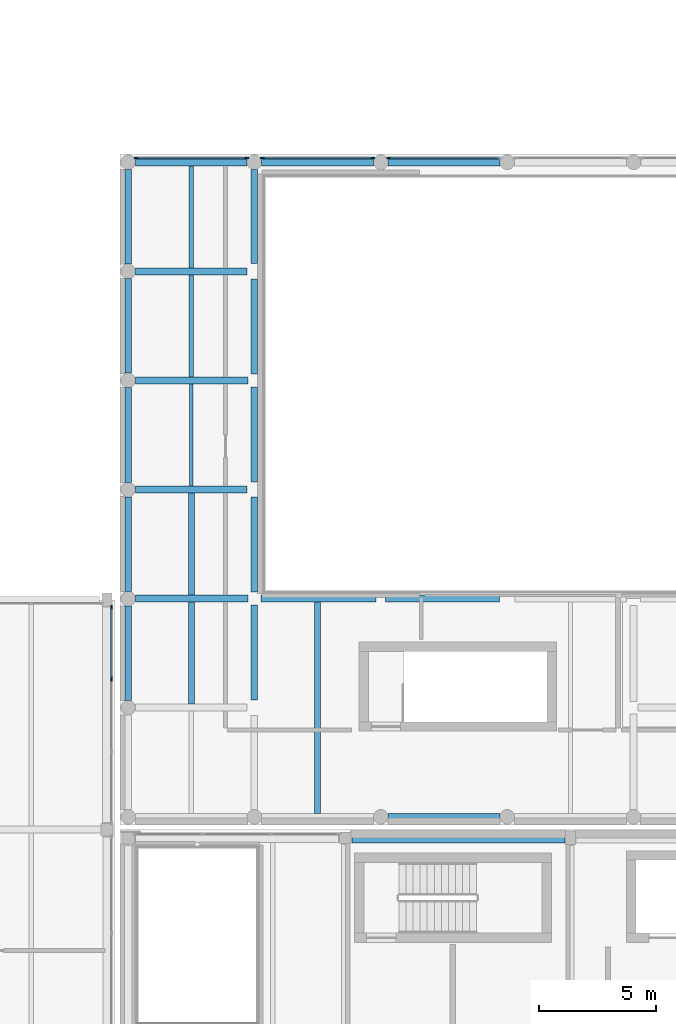
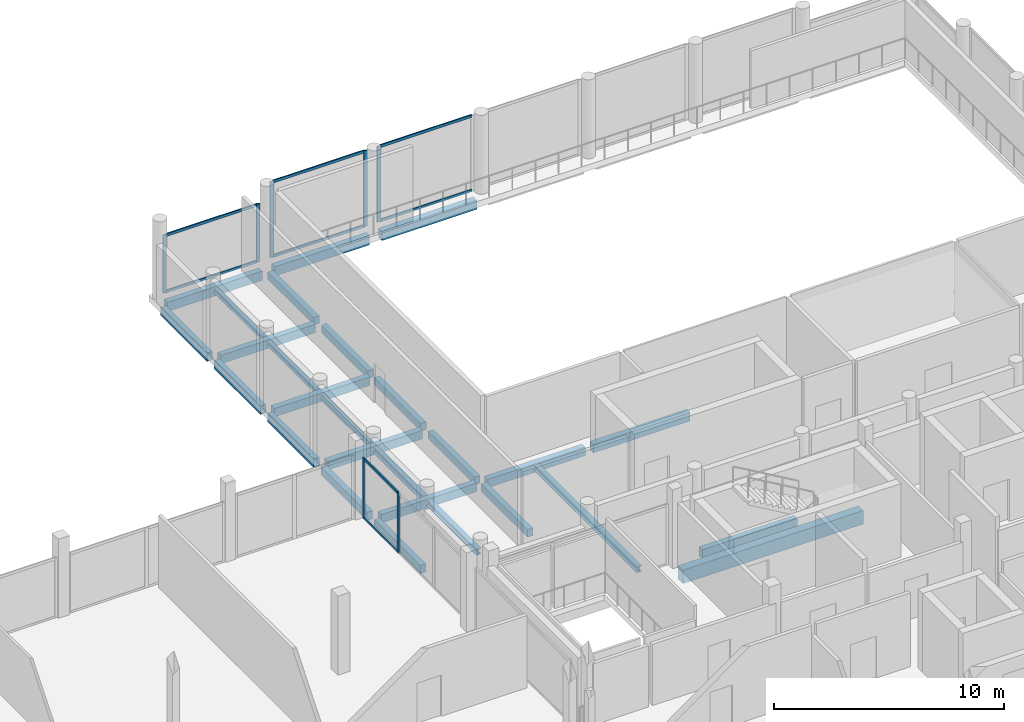
# One storey, part 11 of 66: 27 beams, 15 members, 4 elements without a shape of their own.
"""IFC4 building model written with IfcOpenShell, lengths in metres."""

from ifc_helpers import new_model, si_unit, direction, frame, origin, origin_2d, place, context, subcontext, project, spatial, rectangle, i_section, extrude, material, layer, layer_set, material_profile, profile_set, type_object, element, aggregate, save


model = new_model("IFC4")

# Units and contexts
model_context = context("Model", 3, precision=1e-05, world=origin(), true_north=direction((0.0, 1.0)))
body_context = subcontext(model_context, "Body", "Model", "MODEL_VIEW")
ifc_project = project(units=[si_unit("LENGTHUNIT", "METRE"), si_unit("AREAUNIT", "SQUARE_METRE"), si_unit("VOLUMEUNIT", "CUBIC_METRE"), si_unit("PLANEANGLEUNIT", "RADIAN"), si_unit("MASSUNIT", "GRAM", prefix="KILO")], contexts=[model_context])

# Site, building, storey
site_placement = place(None, origin())
site = spatial("IfcSite", under=ifc_project, at=site_placement, CompositionType="ELEMENT")
building_placement = place(site_placement, origin())
building = spatial("IfcBuilding", under=site, at=building_placement, Name="Birchvale Park Specialist Clinic", CompositionType="ELEMENT")
storey_placement = place(building_placement, frame((0.0, 0.0, 5.39990234375)))
storey = spatial("IfcBuildingStorey", under=building, at=storey_placement, Name="L01", CompositionType="ELEMENT", Elevation=5.39990234375)

# Beams
ifc_material_1 = material(Name="Concrete C40/50", Category="concrete")
ifc_material_profile_1 = material_profile(ifc_material_1, rectangle(XDim=0.419921875, YDim=0.719970703125, at=origin_2d()), Name="RCB-420x720")
ifc_profile_set_1 = profile_set([ifc_material_profile_1], Name="Concrete C40/50")
beam_type_1 = type_object("IfcBeamType", Name="BM-EXT-BG3", PredefinedType="BEAM", material=ifc_profile_set_1)
beam_1_placement = place(storey_placement, frame((61.68994140625, 34.25, -0.639892578125), z_axis=(1.0, 0.0, 0.0), x_axis=(0.0, 1.0, 0.0)))
element("IfcBeam", 1, at=beam_1_placement, inside=storey, type_object=beam_type_1, Name="V4 L01 X girder 15", PredefinedType="BEAM", context=body_context, shape_type="SweptSolid", body=[
    extrude(rectangle(XDim=0.419921875, YDim=0.719970703125, at=origin_2d()), origin(), (0.0, 0.0, 1.0), 9.074951171875),
])
ifc_material_profile_2 = material_profile(ifc_material_1, rectangle(XDim=0.300048828125, YDim=0.489990234375, at=origin_2d()), Name="RCB-300x490")
ifc_profile_set_2 = profile_set([ifc_material_profile_2], Name="Concrete C40/50")
beam_type_2 = type_object("IfcBeamType", Name="BM-EXT-BG8", PredefinedType="BEAM", material=ifc_profile_set_2)
for number, where, z_axis, x_axis, name in (
    (2, (63.2314453125, 35.14990234375, -0.56494140625), (1.0, 0.0, 0.0), (0.0, 1.0, 0.0), "V1 L01 X girder 3"),
    (3, (52.4599609375, 63.050048828125, -0.56494140625), (1.0, 0.0, 0.0), (0.0, 1.0, 0.0), "V1 L01 X girder 22"),
    (4, (57.845703125, 63.050048828125, -0.56494140625), (1.0, 0.0, 0.0), (0.0, 1.0, 0.0), "V1 L01 X girder 23"),
    (5, (63.2314453125, 63.050048828125, -0.56494140625), (1.0, 0.0, 0.0), (0.0, 1.0, 0.0), "V1 L01 X girder 24"),
):
    element("IfcBeam", number, at=place(storey_placement, frame(where, z_axis=z_axis, x_axis=x_axis)), inside=storey, type_object=beam_type_2, Name=name, PredefinedType="BEAM", context=body_context, shape_type="SweptSolid", body=[
        extrude(rectangle(XDim=0.300048828125, YDim=0.489990234375, at=origin_2d()), origin(), (0.0, 0.0, 1.0), 4.765625),
    ])
ifc_material_profile_3 = material_profile(ifc_material_1, rectangle(XDim=0.280029296875, YDim=0.43994140625, at=origin_2d()), Name="RCB-280x440")
ifc_profile_set_3 = profile_set([ifc_material_profile_3], Name="Concrete C40/50")
beam_type_3 = type_object("IfcBeamType", Name="BM-EXT-BG9", PredefinedType="BEAM", material=ifc_profile_set_3)
beam_2_placement = place(storey_placement, frame((52.14990234375, 40.110107421875, -0.539794921875), z_axis=(0.0, 1.0, 0.0), x_axis=(-1.0, 0.0, 0.0)))
element("IfcBeam", 6, at=beam_2_placement, inside=storey, type_object=beam_type_3, Name="V1 L01 Y girder 30", PredefinedType="BEAM", context=body_context, shape_type="SweptSolid", body=[
    extrude(rectangle(XDim=0.280029296875, YDim=0.43994140625, at=origin_2d()), origin(), (0.0, 0.0, 1.0), 4.02978515625),
])
for number, where, z_axis, x_axis, name in (
    (7, (52.14990234375, 44.760009765625, -0.539794921875), (0.0, 1.0, 0.0), (-1.0, 0.0, 0.0), "V1 L01 Y girder 31"),
    (8, (52.14990234375, 49.409912109375, -0.539794921875), (0.0, 1.0, 0.0), (-1.0, 0.0, 0.0), "V1 L01 Y girder 32"),
    (9, (52.14990234375, 54.06005859375, -0.539794921875), (0.0, 1.0, 0.0), (-1.0, 0.0, 0.0), "V1 L01 Y girder 33"),
    (10, (52.14990234375, 58.7099609375, -0.539794921875), (0.0, 1.0, 0.0), (-1.0, 0.0, 0.0), "V1 L01 Y girder 34"),
):
    element("IfcBeam", number, at=place(storey_placement, frame(where, z_axis=z_axis, x_axis=x_axis)), inside=storey, type_object=beam_type_3, Name=name, PredefinedType="BEAM", context=body_context, shape_type="SweptSolid", body=[
        extrude(rectangle(XDim=0.280029296875, YDim=0.43994140625, at=origin_2d()), origin(), (0.0, 0.0, 1.0), 4.030029296875),
    ])
ifc_material_profile_4 = material_profile(ifc_material_1, rectangle(XDim=0.300048828125, YDim=0.449951171875, at=origin_2d()), Name="RCB-300x450")
ifc_profile_set_4 = profile_set([ifc_material_profile_4], Name="Concrete C40/50")
beam_type_4 = type_object("IfcBeamType", Name="BM-INT-BG8", PredefinedType="BEAM", material=ifc_profile_set_4)
beam_3_placement = place(storey_placement, frame((52.4599609375, 44.449951171875, -0.544921875), z_axis=(1.0, 0.0, 0.0), x_axis=(0.0, 1.0, 0.0)))
element("IfcBeam", 11, at=beam_3_placement, inside=storey, type_object=beam_type_4, Name="V1 L01 X girder 12", PredefinedType="BEAM", context=body_context, shape_type="SweptSolid", body=[
    extrude(rectangle(XDim=0.300048828125, YDim=0.449951171875, at=origin_2d()), origin(), (0.0, 0.0, 1.0), 4.80078125),
])
beam_4_placement = place(storey_placement, frame((57.810791015625, 44.449951171875, -0.544921875), z_axis=(1.0, 0.0, 0.0), x_axis=(0.0, 1.0, 0.0)))
element("IfcBeam", 12, at=beam_4_placement, inside=storey, type_object=beam_type_4, Name="V1 L01 X girder 13", PredefinedType="BEAM", context=body_context, shape_type="SweptSolid", body=[
    extrude(rectangle(XDim=0.300048828125, YDim=0.449951171875, at=origin_2d()), origin(), (0.0, 0.0, 1.0), 4.91064453125),
])
beam_5_placement = place(storey_placement, frame((63.121337890625, 44.449951171875, -0.544921875), z_axis=(1.0, 0.0, 0.0), x_axis=(0.0, 1.0, 0.0)))
element("IfcBeam", 13, at=beam_5_placement, inside=storey, type_object=beam_type_4, Name="V1 L01 X girder 14", PredefinedType="BEAM", context=body_context, shape_type="SweptSolid", body=[
    extrude(rectangle(XDim=0.300048828125, YDim=0.449951171875, at=origin_2d()), origin(), (0.0, 0.0, 1.0), 4.86083984375),
])
beam_6_placement = place(storey_placement, frame((52.4599609375, 49.10009765625, -0.544921875), z_axis=(1.0, 0.0, 0.0), x_axis=(0.0, 1.0, 0.0)))
element("IfcBeam", 14, at=beam_6_placement, inside=storey, type_object=beam_type_4, Name="V1 L01 X girder 19", PredefinedType="BEAM", context=body_context, shape_type="SweptSolid", body=[
    extrude(rectangle(XDim=0.300048828125, YDim=0.449951171875, at=origin_2d()), origin(), (0.0, 0.0, 1.0), 4.750732421875),
])
beam_7_placement = place(storey_placement, frame((52.4599609375, 53.75, -0.544921875), z_axis=(1.0, 0.0, 0.0), x_axis=(0.0, 1.0, 0.0)))
element("IfcBeam", 15, at=beam_7_placement, inside=storey, type_object=beam_type_4, Name="V1 L01 X girder 20", PredefinedType="BEAM", context=body_context, shape_type="SweptSolid", body=[
    extrude(rectangle(XDim=0.300048828125, YDim=0.449951171875, at=origin_2d()), origin(), (0.0, 0.0, 1.0), 4.80078125),
])
beam_8_placement = place(storey_placement, frame((52.4599609375, 58.39990234375, -0.544921875), z_axis=(1.0, 0.0, 0.0), x_axis=(0.0, 1.0, 0.0)))
element("IfcBeam", 16, at=beam_8_placement, inside=storey, type_object=beam_type_4, Name="V1 L01 X girder 21", PredefinedType="BEAM", context=body_context, shape_type="SweptSolid", body=[
    extrude(rectangle(XDim=0.300048828125, YDim=0.449951171875, at=origin_2d()), origin(), (0.0, 0.0, 1.0), 4.750732421875),
])
ifc_material_profile_5 = material_profile(ifc_material_1, rectangle(XDim=0.280029296875, YDim=0.39990234375, at=origin_2d()), Name="RCB-280x400")
ifc_profile_set_5 = profile_set([ifc_material_profile_5], Name="Concrete C40/50")
beam_type_5 = type_object("IfcBeamType", Name="BM-INT-BG9", PredefinedType="BEAM", material=ifc_profile_set_5)
beam_9_placement = place(storey_placement, frame((57.53564453125, 40.125, -0.52001953125), z_axis=(0.0, 1.0, 0.0), x_axis=(-1.0, 0.0, 0.0)))
element("IfcBeam", 17, at=beam_9_placement, inside=storey, type_object=beam_type_5, Name="V1 L01 Y girder 36", PredefinedType="BEAM", context=body_context, shape_type="SweptSolid", body=[
    extrude(rectangle(XDim=0.280029296875, YDim=0.39990234375, at=origin_2d()), origin(), (0.0, 0.0, 1.0), 4.050048828125),
])
beam_10_placement = place(storey_placement, frame((57.53564453125, 44.72509765625, -0.52001953125), z_axis=(0.0, 1.0, 0.0), x_axis=(-1.0, 0.0, 0.0)))
element("IfcBeam", 18, at=beam_10_placement, inside=storey, type_object=beam_type_5, Name="V1 L01 Y girder 37", PredefinedType="BEAM", context=body_context, shape_type="SweptSolid", body=[
    extrude(rectangle(XDim=0.280029296875, YDim=0.39990234375, at=origin_2d()), origin(), (0.0, 0.0, 1.0), 4.0498046875),
])
for number, where, z_axis, x_axis, name in (
    (19, (57.53564453125, 49.425048828125, -0.52001953125), (0.0, 1.0, 0.0), (-1.0, 0.0, 0.0), "V1 L01 Y girder 38"),
    (20, (57.53564453125, 54.02490234375, -0.52001953125), (0.0, 1.0, 0.0), (-1.0, 0.0, 0.0), "V1 L01 Y girder 39"),
):
    element("IfcBeam", number, at=place(storey_placement, frame(where, z_axis=z_axis, x_axis=x_axis)), inside=storey, type_object=beam_type_5, Name=name, PredefinedType="BEAM", context=body_context, shape_type="SweptSolid", body=[
        extrude(rectangle(XDim=0.280029296875, YDim=0.39990234375, at=origin_2d()), origin(), (0.0, 0.0, 1.0), 4.050048828125),
    ])
beam_11_placement = place(storey_placement, frame((57.53564453125, 58.72509765625, -0.52001953125), z_axis=(0.0, 1.0, 0.0), x_axis=(-1.0, 0.0, 0.0)))
element("IfcBeam", 21, at=beam_11_placement, inside=storey, type_object=beam_type_5, Name="V1 L01 Y girder 40", PredefinedType="BEAM", context=body_context, shape_type="SweptSolid", body=[
    extrude(rectangle(XDim=0.280029296875, YDim=0.39990234375, at=origin_2d()), origin(), (0.0, 0.0, 1.0), 4.014892578125),
])

# Curtain wall, member
ifc_material_2 = material(Name="Thermally broken anodised aluminium", Category="aluminium")
ifc_layer = layer(ifc_material_2, 0.195068359375)
ifc_layer_set = layer_set([ifc_layer], Name="Thermally broken anodised aluminium")
curtain_wall_type = type_object("IfcCurtainWallType", Name="CW-U2", PredefinedType="USERDEFINED", material=ifc_layer_set)
curtain_wall_1_placement = place(storey_placement, origin())
curtain_wall_1 = element("IfcCurtainWall", 22, at=curtain_wall_1_placement, inside=storey, type_object=curtain_wall_type, Name="V1 L01 glazed curtain wall 78", ObjectType="UNITISED", PredefinedType="USERDEFINED")
ifc_material_profile_6 = material_profile(ifc_material_2, rectangle(XDim=0.06494140625, YDim=0.179931640625, at=origin_2d()), Name="CWM-65x180")
ifc_profile_set_6 = profile_set([ifc_material_profile_6], Name="Thermally broken anodised aluminium")
member_type_1 = type_object("IfcMemberType", Name="CWM2", PredefinedType="MULLION", material=ifc_profile_set_6)
member_1_placement = place(storey_placement, frame((63.263916015625, 63.235107421875, 0.0), z_axis=(0.0, 0.0, 1.0), x_axis=(0.0, -1.0, 0.0)))
member_1 = element("IfcMember", 23, at=member_1_placement, type_object=member_type_1, Name="CW mullion 2", PredefinedType="MULLION", context=body_context, shape_type="SweptSolid", body=[
    extrude(rectangle(XDim=0.06494140625, YDim=0.179931640625, at=origin_2d()), origin(), (0.0, 0.0, 1.0), 4.02001953125),
])

# Curtain wall, members
curtain_wall_2_placement = place(storey_placement, origin())
curtain_wall_2 = element("IfcCurtainWall", 24, at=curtain_wall_2_placement, inside=storey, type_object=curtain_wall_type, Name="V1 L01 glazed curtain wall 79", ObjectType="UNITISED", PredefinedType="USERDEFINED")
member_2_placement = place(storey_placement, frame((62.578857421875, 63.235107421875, 0.0), z_axis=(0.0, 0.0, 1.0), x_axis=(0.0, -1.0, 0.0)))
member_2 = element("IfcMember", 25, at=member_2_placement, type_object=member_type_1, Name="CW mullion 1", PredefinedType="MULLION", context=body_context, shape_type="SweptSolid", body=[
    extrude(rectangle(XDim=0.06494140625, YDim=0.179931640625, at=origin_2d()), origin(), (0.0, 0.0, 1.0), 4.02001953125),
])
member_3_placement = place(storey_placement, frame((57.878173828125, 63.235107421875, 0.0), z_axis=(0.0, 0.0, 1.0), x_axis=(0.0, -1.0, 0.0)))
member_3 = element("IfcMember", 26, at=member_3_placement, type_object=member_type_1, Name="CW mullion 2", PredefinedType="MULLION", context=body_context, shape_type="SweptSolid", body=[
    extrude(rectangle(XDim=0.06494140625, YDim=0.179931640625, at=origin_2d()), origin(), (0.0, 0.0, 1.0), 4.02001953125),
])

curtain_wall_3_placement = place(storey_placement, origin())
curtain_wall_3 = element("IfcCurtainWall", 27, at=curtain_wall_3_placement, inside=storey, type_object=curtain_wall_type, Name="V1 L01 glazed curtain wall 80", ObjectType="UNITISED", PredefinedType="USERDEFINED")
member_4_placement = place(storey_placement, frame((57.193115234375, 63.235107421875, 0.0), z_axis=(0.0, 0.0, 1.0), x_axis=(0.0, -1.0, 0.0)))
member_4 = element("IfcMember", 28, at=member_4_placement, type_object=member_type_1, Name="CW mullion 1", PredefinedType="MULLION", context=body_context, shape_type="SweptSolid", body=[
    extrude(rectangle(XDim=0.06494140625, YDim=0.179931640625, at=origin_2d()), origin(), (0.0, 0.0, 1.0), 3.065185546875),
])
member_5_placement = place(storey_placement, frame((52.492431640625, 63.235107421875, 0.0), z_axis=(0.0, 0.0, 1.0), x_axis=(0.0, -1.0, 0.0)))
member_5 = element("IfcMember", 29, at=member_5_placement, type_object=member_type_1, Name="CW mullion 2", PredefinedType="MULLION", context=body_context, shape_type="SweptSolid", body=[
    extrude(rectangle(XDim=0.06494140625, YDim=0.179931640625, at=origin_2d()), origin(), (0.0, 0.0, 1.0), 3.065185546875),
])

curtain_wall_4_placement = place(storey_placement, origin())
curtain_wall_4 = element("IfcCurtainWall", 30, at=curtain_wall_4_placement, inside=storey, type_object=curtain_wall_type, Name="V2 L01 glazed curtain wall 83", ObjectType="UNITISED", PredefinedType="USERDEFINED")
member_6_placement = place(storey_placement, frame((51.445068359375, 41.0283203125, 0.0), z_axis=(0.0, 0.0, 1.0), x_axis=(-1.0, 0.0, 0.0)))
member_6 = element("IfcMember", 31, at=member_6_placement, type_object=member_type_1, Name="CW mullion 3", PredefinedType="MULLION", context=body_context, shape_type="SweptSolid", body=[
    extrude(rectangle(XDim=0.06494140625, YDim=0.179931640625, at=origin_2d()), origin(), (0.0, 0.0, 1.0), 3.195068359375),
])
member_7_placement = place(storey_placement, frame((51.445068359375, 44.077392578125, 0.0), z_axis=(0.0, 0.0, 1.0), x_axis=(-1.0, 0.0, 0.0)))
member_7 = element("IfcMember", 32, at=member_7_placement, type_object=member_type_1, Name="CW mullion 4", PredefinedType="MULLION", context=body_context, shape_type="SweptSolid", body=[
    extrude(rectangle(XDim=0.06494140625, YDim=0.179931640625, at=origin_2d()), origin(), (0.0, 0.0, 1.0), 3.195068359375),
])

# Member
ifc_material_profile_7 = material_profile(ifc_material_2, rectangle(XDim=0.06494140625, YDim=0.139892578125, at=origin_2d()), Name="CWT-65x140")
ifc_profile_set_7 = profile_set([ifc_material_profile_7], Name="Thermally broken anodised aluminium")
member_type_2 = type_object("IfcMemberType", Name="CWT2", PredefinedType="USERDEFINED", material=ifc_profile_set_7)
member_8_placement = place(storey_placement, frame((67.93212890625, 63.235107421875, 0.03271484375), z_axis=(-1.0, 0.0, 0.0), x_axis=(0.0, -1.0, 0.0)))
member_8 = element("IfcMember", 33, at=member_8_placement, type_object=member_type_2, Name="CW transom 1.1", ObjectType="TRANSOM", PredefinedType="USERDEFINED", context=body_context, shape_type="SweptSolid", body=[
    extrude(rectangle(XDim=0.06494140625, YDim=0.139892578125, at=origin_2d()), origin(), (0.0, 0.0, 1.0), 4.6357421875),
])

member_9_placement = place(storey_placement, frame((67.93212890625, 63.235107421875, 3.987548828125), z_axis=(-1.0, 0.0, 0.0), x_axis=(0.0, -1.0, 0.0)))
member_9 = element("IfcMember", 34, at=member_9_placement, type_object=member_type_2, Name="CW transom 1.2", ObjectType="TRANSOM", PredefinedType="USERDEFINED", context=body_context, shape_type="SweptSolid", body=[
    extrude(rectangle(XDim=0.06494140625, YDim=0.139892578125, at=origin_2d()), origin(), (0.0, 0.0, 1.0), 4.6357421875),
])

aggregate(curtain_wall_1, [member_1, member_8, member_9])

member_10_placement = place(storey_placement, frame((62.54638671875, 63.235107421875, 0.03271484375), z_axis=(-1.0, 0.0, 0.0), x_axis=(0.0, -1.0, 0.0)))
member_10 = element("IfcMember", 35, at=member_10_placement, type_object=member_type_2, Name="CW transom 1.1", ObjectType="TRANSOM", PredefinedType="USERDEFINED", context=body_context, shape_type="SweptSolid", body=[
    extrude(rectangle(XDim=0.06494140625, YDim=0.139892578125, at=origin_2d()), origin(), (0.0, 0.0, 1.0), 4.6357421875),
])

member_11_placement = place(storey_placement, frame((62.54638671875, 63.235107421875, 3.987548828125), z_axis=(-1.0, 0.0, 0.0), x_axis=(0.0, -1.0, 0.0)))
member_11 = element("IfcMember", 36, at=member_11_placement, type_object=member_type_2, Name="CW transom 1.2", ObjectType="TRANSOM", PredefinedType="USERDEFINED", context=body_context, shape_type="SweptSolid", body=[
    extrude(rectangle(XDim=0.06494140625, YDim=0.139892578125, at=origin_2d()), origin(), (0.0, 0.0, 1.0), 4.6357421875),
])

aggregate(curtain_wall_2, [member_2, member_3, member_10, member_11])

member_12_placement = place(storey_placement, frame((57.16064453125, 63.235107421875, 0.03271484375), z_axis=(-1.0, 0.0, 0.0), x_axis=(0.0, -1.0, 0.0)))
member_12 = element("IfcMember", 37, at=member_12_placement, type_object=member_type_2, Name="CW transom 1.1", ObjectType="TRANSOM", PredefinedType="USERDEFINED", context=body_context, shape_type="SweptSolid", body=[
    extrude(rectangle(XDim=0.06494140625, YDim=0.139892578125, at=origin_2d()), origin(), (0.0, 0.0, 1.0), 4.6357421875),
])

member_13_placement = place(storey_placement, frame((57.16064453125, 63.235107421875, 3.03271484375), z_axis=(-1.0, 0.0, 0.0), x_axis=(0.0, -1.0, 0.0)))
member_13 = element("IfcMember", 38, at=member_13_placement, type_object=member_type_2, Name="CW transom 1.2", ObjectType="TRANSOM", PredefinedType="USERDEFINED", context=body_context, shape_type="SweptSolid", body=[
    extrude(rectangle(XDim=0.06494140625, YDim=0.139892578125, at=origin_2d()), origin(), (0.0, 0.0, 1.0), 4.6357421875),
])

aggregate(curtain_wall_3, [member_4, member_5, member_12, member_13])

member_14_placement = place(storey_placement, frame((51.445068359375, 41.060791015625, 0.03271484375), z_axis=(0.0, 1.0, 0.0), x_axis=(-1.0, 0.0, 0.0)))
member_14 = element("IfcMember", 39, at=member_14_placement, type_object=member_type_2, Name="CW transom 3.1", ObjectType="TRANSOM", PredefinedType="USERDEFINED", context=body_context, shape_type="SweptSolid", body=[
    extrude(rectangle(XDim=0.06494140625, YDim=0.139892578125, at=origin_2d()), origin(), (0.0, 0.0, 1.0), 2.984130859375),
])

member_15_placement = place(storey_placement, frame((51.445068359375, 41.060791015625, 3.16259765625), z_axis=(0.0, 1.0, 0.0), x_axis=(-1.0, 0.0, 0.0)))
member_15 = element("IfcMember", 40, at=member_15_placement, type_object=member_type_2, Name="CW transom 3.2", ObjectType="TRANSOM", PredefinedType="USERDEFINED", context=body_context, shape_type="SweptSolid", body=[
    extrude(rectangle(XDim=0.06494140625, YDim=0.139892578125, at=origin_2d()), origin(), (0.0, 0.0, 1.0), 2.984130859375),
])

aggregate(curtain_wall_4, [member_6, member_7, member_14, member_15])

# Beams
ifc_material_3 = material(Name="Steel ASTM A992 Grade 50", Category="steel")
ifc_material_profile_8 = material_profile(ifc_material_3, i_section(OverallWidth=0.25390625, OverallDepth=0.305908203125, WebThickness=0.0087890625, FlangeThickness=0.0146484375, at=origin_2d()), Name="W12X53")
ifc_profile_set_8 = profile_set([ifc_material_profile_8], Name="Steel ASTM A992 Grade 50")
beam_type_6 = type_object("IfcBeamType", Name="STL-INT-SJ2", PredefinedType="JOIST", material=ifc_profile_set_8)
beam_12_placement = place(storey_placement, frame((54.8427734375, 39.949951171875, -0.472900390625), z_axis=(0.0, 1.0, 0.0), x_axis=(-1.0, 0.0, 0.0)))
element("IfcBeam", 41, at=beam_12_placement, inside=storey, type_object=beam_type_6, Name="V1 L01 secondary floor joist 2", PredefinedType="JOIST", context=body_context, shape_type="SweptSolid", body=[
    extrude(i_section(OverallWidth=0.25390625, OverallDepth=0.305908203125, WebThickness=0.0087890625, FlangeThickness=0.0146484375, at=origin_2d()), origin(), (0.0, 0.0, 1.0), 4.35009765625),
])
beam_13_placement = place(storey_placement, frame((54.8427734375, 44.60009765625, -0.472900390625), z_axis=(0.0, 1.0, 0.0), x_axis=(-1.0, 0.0, 0.0)))
element("IfcBeam", 42, at=beam_13_placement, inside=storey, type_object=beam_type_6, Name="V1 L01 secondary floor joist 3", PredefinedType="JOIST", context=body_context, shape_type="SweptSolid", body=[
    extrude(i_section(OverallWidth=0.25390625, OverallDepth=0.305908203125, WebThickness=0.0087890625, FlangeThickness=0.0146484375, at=origin_2d()), origin(), (0.0, 0.0, 1.0), 4.349853515625),
])
beam_14_placement = place(storey_placement, frame((60.228515625, 35.300048828125, -0.472900390625), z_axis=(0.0, 1.0, 0.0), x_axis=(-1.0, 0.0, 0.0)))
element("IfcBeam", 43, at=beam_14_placement, inside=storey, type_object=beam_type_6, Name="V1 L01 secondary floor joist 7", PredefinedType="JOIST", context=body_context, shape_type="SweptSolid", body=[
    extrude(i_section(OverallWidth=0.25390625, OverallDepth=0.305908203125, WebThickness=0.0087890625, FlangeThickness=0.0146484375, at=origin_2d()), origin(), (0.0, 0.0, 1.0), 9.0),
])
ifc_material_profile_9 = material_profile(ifc_material_3, i_section(OverallWidth=0.1669921875, OverallDepth=0.31689453125, WebThickness=0.007568359375, FlangeThickness=0.01318359375, at=origin_2d()), Name="W12X35")
ifc_profile_set_9 = profile_set([ifc_material_profile_9], Name="Steel ASTM A992 Grade 50")
beam_type_7 = type_object("IfcBeamType", Name="STL-INT-SJ3", PredefinedType="JOIST", material=ifc_profile_set_9)
beam_15_placement = place(storey_placement, frame((54.8427734375, 49.25, -0.478515625), z_axis=(0.0, 1.0, 0.0), x_axis=(-1.0, 0.0, 0.0)))
element("IfcBeam", 44, at=beam_15_placement, inside=storey, type_object=beam_type_7, Name="V1 L01 secondary floor joist 4", PredefinedType="JOIST", context=body_context, shape_type="SweptSolid", body=[
    extrude(i_section(OverallWidth=0.1669921875, OverallDepth=0.31689453125, WebThickness=0.007568359375, FlangeThickness=0.01318359375, at=origin_2d()), origin(), (0.0, 0.0, 1.0), 4.35009765625),
])
ifc_material_profile_10 = material_profile(ifc_material_3, i_section(OverallWidth=0.202880859375, OverallDepth=0.251953125, WebThickness=0.008056640625, FlangeThickness=0.013427734375, at=origin_2d()), Name="W10X39")
ifc_profile_set_10 = profile_set([ifc_material_profile_10], Name="Steel ASTM A992 Grade 50")
beam_type_8 = type_object("IfcBeamType", Name="STL-INT-SJ4", PredefinedType="JOIST", material=ifc_profile_set_10)
beam_16_placement = place(storey_placement, frame((54.8427734375, 53.89990234375, -0.44580078125), z_axis=(0.0, 1.0, 0.0), x_axis=(-1.0, 0.0, 0.0)))
element("IfcBeam", 45, at=beam_16_placement, inside=storey, type_object=beam_type_8, Name="V1 L01 secondary floor joist 5", PredefinedType="JOIST", context=body_context, shape_type="SweptSolid", body=[
    extrude(i_section(OverallWidth=0.202880859375, OverallDepth=0.251953125, WebThickness=0.008056640625, FlangeThickness=0.013427734375, at=origin_2d()), origin(), (0.0, 0.0, 1.0), 4.35009765625),
])
beam_17_placement = place(storey_placement, frame((54.8427734375, 58.550048828125, -0.44580078125), z_axis=(0.0, 1.0, 0.0), x_axis=(-1.0, 0.0, 0.0)))
element("IfcBeam", 46, at=beam_17_placement, inside=storey, type_object=beam_type_8, Name="V1 L01 secondary floor joist 6", PredefinedType="JOIST", context=body_context, shape_type="SweptSolid", body=[
    extrude(i_section(OverallWidth=0.202880859375, OverallDepth=0.251953125, WebThickness=0.008056640625, FlangeThickness=0.013427734375, at=origin_2d()), origin(), (0.0, 0.0, 1.0), 4.349853515625),
])

save(model, "model.ifc")
